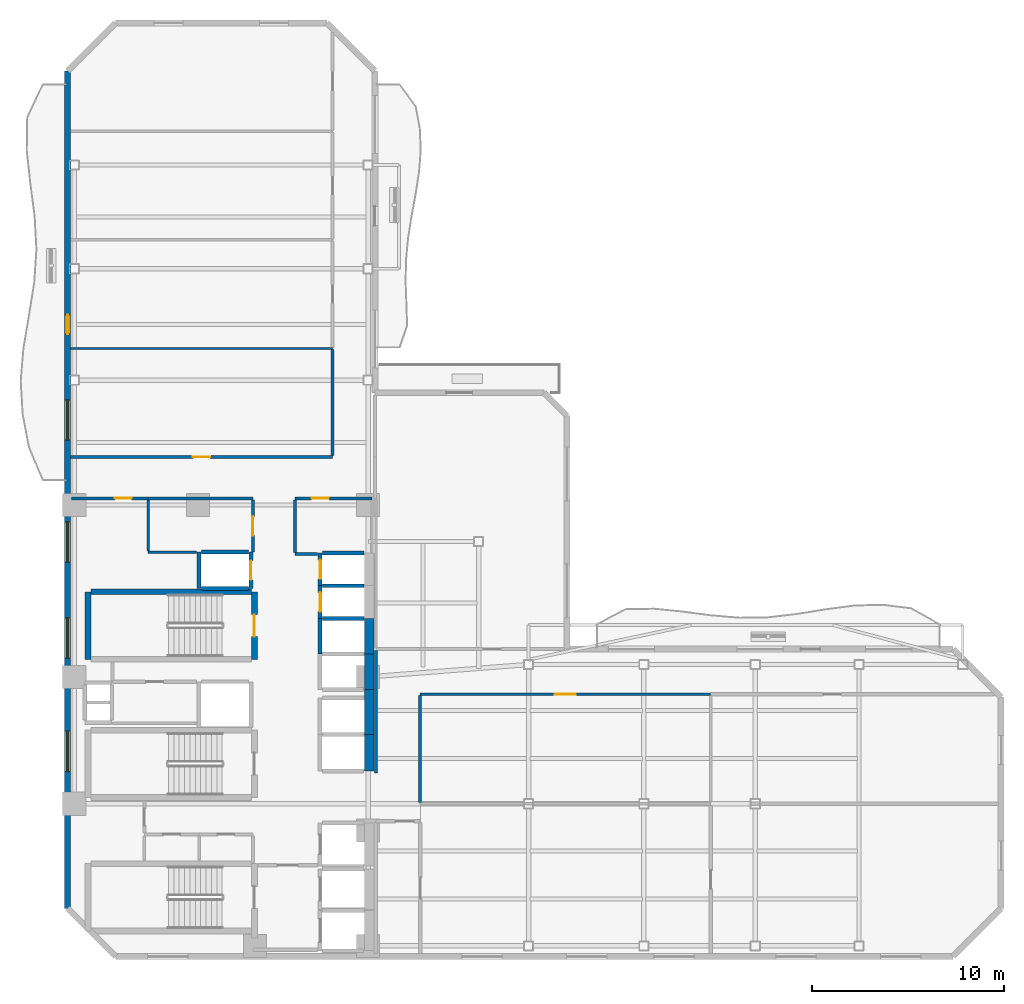
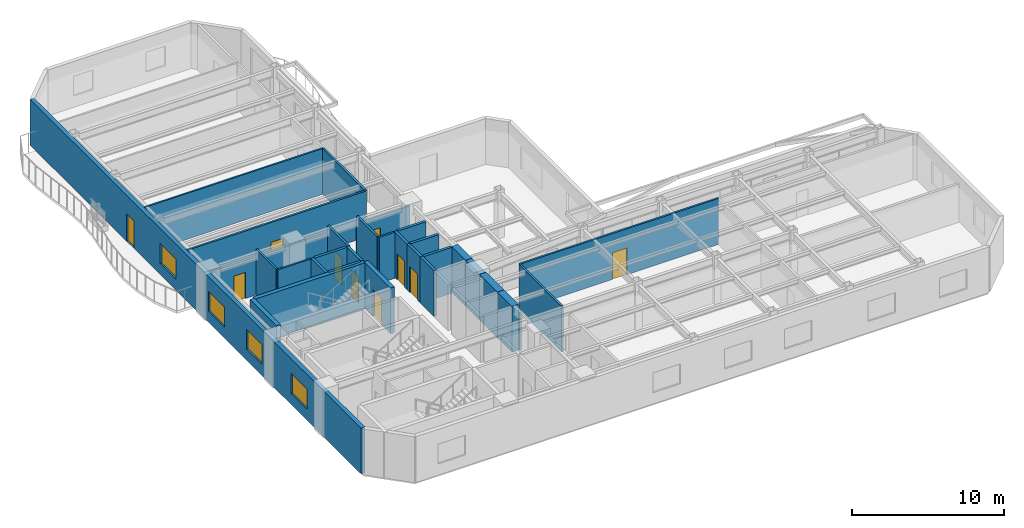
# One storey, part 4 of 9: 32 walls, 10 doors, 4 windows, 14 openings.
"""IFC4 building model written with IfcOpenShell, lengths in metres."""

from ifc_helpers import new_model, si_unit, direction, frame, frame_2d, origin, place, context, subcontext, project, spatial, rectangle, extrude, material, layer, layer_set, type_object, element, fill, save


model = new_model("IFC4")

# Units and contexts
model_context = context("Model", 3, precision=1e-05, world=origin(), true_north=direction((0.0, 1.0)))
body_context = subcontext(model_context, "Body", "Model", "MODEL_VIEW")
ifc_project = project(units=[si_unit("LENGTHUNIT", "METRE"), si_unit("AREAUNIT", "SQUARE_METRE"), si_unit("VOLUMEUNIT", "CUBIC_METRE"), si_unit("PLANEANGLEUNIT", "RADIAN"), si_unit("MASSUNIT", "GRAM", prefix="KILO")], contexts=[model_context])

# Site, building, storey
site_placement = place(None, origin())
site = spatial("IfcSite", under=ifc_project, at=site_placement, CompositionType="ELEMENT")
building_placement = place(site_placement, origin())
building = spatial("IfcBuilding", under=site, at=building_placement, Name="Mawjaban Terraces University", CompositionType="ELEMENT")
storey_placement = place(building_placement, frame((0.0, 0.0, 115.10009765625)))
storey = spatial("IfcBuildingStorey", under=building, at=storey_placement, Name="L27", CompositionType="ELEMENT", Elevation=115.10009765625)

# Walls
ifc_material_1 = material(Name="Concrete C60/75", Category="concrete")
ifc_layer_1 = layer(ifc_material_1, 0.5)
ifc_layer_set_1 = layer_set([ifc_layer_1], Name="Concrete C60/75")
wall_type_1 = type_object("IfcWallType", Name="CoreShearWall_500", PredefinedType="SHEAR", material=ifc_layer_set_1)
wall_1_placement = place(storey_placement, frame((37.699951171875, 9.64990234375, 0.0), z_axis=(0.0, 0.0, 1.0), x_axis=(0.0, 1.0, 0.0)))
element("IfcWall", 1, at=wall_1_placement, inside=storey, type_object=wall_type_1, Name="L27 Lift PL-H1 Hoistway Wall East", PredefinedType="SHEAR", context=body_context, shape_type="SweptSolid", body=[
    extrude(rectangle(XDim=1.900146484375, YDim=0.5, at=frame_2d((0.9501953125, 0.0))), origin(), (0.0, 0.0, 1.0), 3.68994140625),
])
wall_2_placement = place(storey_placement, frame((37.699951171875, 11.550048828125, 0.0), z_axis=(0.0, 0.0, 1.0), x_axis=(0.0, 1.0, 0.0)))
element("IfcWall", 2, at=wall_2_placement, inside=storey, type_object=wall_type_1, Name="L27 Lift PL-H2 Hoistway Wall East", PredefinedType="SHEAR", context=body_context, shape_type="SweptSolid", body=[
    extrude(rectangle(XDim=2.349853515625, YDim=0.5, at=frame_2d((1.1748046875, 0.0))), origin(), (0.0, 0.0, 1.0), 3.68994140625),
])
for number, where, z_axis, x_axis, name in (
    (3, (37.699951171875, 13.89990234375, 0.0), (0.0, 0.0, 1.0), (0.0, 1.0, 0.0), "L27 Lift OL-1 Hoistway Wall East"),
    (4, (37.699951171875, 15.75, 0.0), (0.0, 0.0, 1.0), (0.0, 1.0, 0.0), "L27 Lift OL-2 Hoistway Wall East"),
):
    element("IfcWall", number, at=place(storey_placement, frame(where, z_axis=z_axis, x_axis=x_axis)), inside=storey, type_object=wall_type_1, Name=name, PredefinedType="SHEAR", context=body_context, shape_type="SweptSolid", body=[
        extrude(rectangle(XDim=1.85009765625, YDim=0.5, at=frame_2d((0.925048828125, 0.0))), origin(), (0.0, 0.0, 1.0), 3.68994140625),
    ])

# Wall, opening, door
ifc_material_2 = material(Name="Fire-rated gypsum board on steel stud", Category="steel")
ifc_layer_2 = layer(ifc_material_2, 0.159912109375)
ifc_layer_set_2 = layer_set([ifc_layer_2], Name="Fire-rated gypsum board on steel stud")
wall_type_2 = type_object("IfcWallType", Name="CorridorPartition_160", PredefinedType="PARTITIONING", material=ifc_layer_set_2)
wall_3_placement = place(storey_placement, frame((26.199951171875, 23.85009765625, 0.0), z_axis=(0.0, 0.0, 1.0), x_axis=(-1.0, 0.0, 0.0)))
wall_3 = element("IfcWall", 5, at=wall_3_placement, inside=storey, type_object=wall_type_2, Name="L27 Female Toilet Partition 5", PredefinedType="PARTITIONING", context=body_context, shape_type="SweptSolid", body=[
    extrude(rectangle(XDim=4.0, YDim=0.159912109375, at=frame_2d((2.0, 0.0))), origin(), (0.0, 0.0, 1.0), 3.072998046875),
])
opening_1_placement = place(wall_3_placement, frame((0.860107421875, 0.0, 0.0)))
opening_1 = element("IfcOpeningElement", 6, at=opening_1_placement, cuts=wall_3, Name="Opening ID-088", PredefinedType="OPENING", context=body_context, shape_type="SweptSolid", body=[
    extrude(rectangle(XDim=0.8798828125, YDim=2.10009765625, at=frame_2d((0.43994140625, 1.050048828125))), frame((0.0, 0.08984375, 0.0), z_axis=(0.0, -1.0, 0.0), x_axis=(1.0, 0.0, 0.0)), (0.0, 0.0, 1.0), 0.179931640625),
])
ifc_material_3 = material(Name="Powder-coated steel frame and solid acoustic timber leaf", Category="steel")
door_type_1 = type_object("IfcDoorType", Name="ToiletDoor_880x2100", OperationType="NOTDEFINED", PredefinedType="DOOR", material=ifc_material_3)
door_1_placement = place(opening_1_placement, origin())
door_1 = element("IfcDoor", 7, at=door_1_placement, inside=storey, type_object=door_type_1, Name="L27 Female Toilet Door", OperationType="SINGLE_SWING_LEFT", OverallHeight=2.10009765625, OverallWidth=0.8798828125, PredefinedType="DOOR", context=body_context, shape_type="SweptSolid", body=[
    extrude(rectangle(XDim=0.8798828125, YDim=2.10009765625, at=frame_2d((0.43994140625, 1.050048828125))), frame((0.0, 0.02490234375, 0.0), z_axis=(0.0, -1.0, 0.0), x_axis=(1.0, 0.0, 0.0)), (0.0, 0.0, 1.0), 0.050048828125),
])
fill(opening_1, door_1)

# Walls
wall_4_placement = place(storey_placement, frame((31.64990234375, 23.85009765625, 0.0), z_axis=(0.0, 0.0, 1.0), x_axis=(-1.0, 0.0, 0.0)))
element("IfcWall", 8, at=wall_4_placement, inside=storey, type_object=wall_type_2, Name="L27 Academic Tutorial Alcove Partition 8", PredefinedType="PARTITIONING", context=body_context, shape_type="SweptSolid", body=[
    extrude(rectangle(XDim=5.449951171875, YDim=0.159912109375, at=frame_2d((2.72509765625, 0.0))), origin(), (0.0, 0.0, 1.0), 3.072998046875),
])
wall_5_placement = place(storey_placement, frame((35.02001953125, 20.949951171875, 0.0), z_axis=(0.0, 0.0, 1.0), x_axis=(-1.0, 0.0, 0.0)))
element("IfcWall", 9, at=wall_5_placement, inside=storey, type_object=wall_type_2, Name="L27 Passenger Lift Lobby Partition 10", PredefinedType="PARTITIONING", context=body_context, shape_type="SweptSolid", body=[
    extrude(rectangle(XDim=1.169921875, YDim=0.159912109375, at=frame_2d((0.5849609375, 0.0))), origin(), (0.0, 0.0, 1.0), 3.68994140625),
])

# Wall, opening, door
wall_6_placement = place(storey_placement, frame((35.800048828125, 26.0, 0.0), z_axis=(0.0, 0.0, 1.0), x_axis=(-1.0, 0.0, 0.0)))
wall_6 = element("IfcWall", 10, at=wall_6_placement, inside=storey, type_object=wall_type_2, Name="L27 North Core Cross-Corridor Partition 11", PredefinedType="PARTITIONING", context=body_context, shape_type="SweptSolid", body=[
    extrude(rectangle(XDim=13.655029296875, YDim=0.159912109375, at=frame_2d((6.82763671875, 0.0))), origin(), (0.0, 0.0, 1.0), 3.68994140625),
])
opening_2_placement = place(wall_6_placement, frame((6.376953125, 0.0, 0.0)))
opening_2 = element("IfcOpeningElement", 11, at=opening_2_placement, cuts=wall_6, Name="Opening ID-090", PredefinedType="OPENING", context=body_context, shape_type="SweptSolid", body=[
    extrude(rectangle(XDim=0.89990234375, YDim=2.10009765625, at=frame_2d((0.449951171875, 1.050048828125))), frame((0.0, 0.08984375, 0.0), z_axis=(0.0, -1.0, 0.0), x_axis=(1.0, 0.0, 0.0)), (0.0, 0.0, 1.0), 0.179931640625),
])
door_type_2 = type_object("IfcDoorType", Name="OfficeDoor_900x2100", OperationType="NOTDEFINED", PredefinedType="DOOR", material=ifc_material_3)
door_2_placement = place(opening_2_placement, origin())
door_2 = element("IfcDoor", 12, at=door_2_placement, inside=storey, type_object=door_type_2, Name="L27 Departmental Office 6 Door", OperationType="SINGLE_SWING_LEFT", OverallHeight=2.10009765625, OverallWidth=0.89990234375, PredefinedType="DOOR", context=body_context, shape_type="SweptSolid", body=[
    extrude(rectangle(XDim=0.89990234375, YDim=2.10009765625, at=frame_2d((0.449951171875, 1.050048828125))), frame((0.0, 0.02490234375, 0.0), z_axis=(0.0, -1.0, 0.0), x_axis=(1.0, 0.0, 0.0)), (0.0, 0.0, 1.0), 0.050048828125),
])
fill(opening_2, door_2)

wall_7_placement = place(storey_placement, frame((37.85009765625, 23.85009765625, 0.0), z_axis=(0.0, 0.0, 1.0), x_axis=(-1.0, 0.0, 0.0)))
wall_7 = element("IfcWall", 13, at=wall_7_placement, inside=storey, type_object=wall_type_2, Name="L27 Departmental Resource Seminar Room Partition 15", PredefinedType="PARTITIONING", context=body_context, shape_type="SweptSolid", body=[
    extrude(rectangle(XDim=4.0, YDim=0.159912109375, at=frame_2d((2.0, 0.0))), origin(), (0.0, 0.0, 1.0), 3.072998046875),
])
opening_3_placement = place(wall_7_placement, frame((2.25, 0.0, 0.0)))
opening_3 = element("IfcOpeningElement", 14, at=opening_3_placement, cuts=wall_7, Name="Opening ID-090", PredefinedType="OPENING", context=body_context, shape_type="SweptSolid", body=[
    extrude(rectangle(XDim=0.89990234375, YDim=2.10009765625, at=frame_2d((0.449951171875, 1.050048828125))), frame((0.0, 0.08984375, 0.0), z_axis=(0.0, -1.0, 0.0), x_axis=(1.0, 0.0, 0.0)), (0.0, 0.0, 1.0), 0.179931640625),
])
door_3_placement = place(opening_3_placement, origin())
door_3 = element("IfcDoor", 15, at=door_3_placement, inside=storey, type_object=door_type_2, Name="L27 Departmental Resource Seminar Room Door", OperationType="SINGLE_SWING_LEFT", OverallHeight=2.10009765625, OverallWidth=0.89990234375, PredefinedType="DOOR", context=body_context, shape_type="SweptSolid", body=[
    extrude(rectangle(XDim=0.89990234375, YDim=2.10009765625, at=frame_2d((0.449951171875, 1.050048828125))), frame((0.0, 0.02490234375, 0.0), z_axis=(0.0, -1.0, 0.0), x_axis=(1.0, 0.0, 0.0)), (0.0, 0.0, 1.0), 0.050048828125),
])
fill(opening_3, door_3)

wall_8_placement = place(storey_placement, frame((31.64990234375, 23.77490234375, 0.0), z_axis=(0.0, 0.0, 1.0), x_axis=(0.0, -1.0, 0.0)))
wall_8 = element("IfcWall", 16, at=wall_8_placement, inside=storey, type_object=wall_type_2, Name="L27 Core North Lift Lobby Partition 29", PredefinedType="PARTITIONING", context=body_context, shape_type="SweptSolid", body=[
    extrude(rectangle(XDim=2.724853515625, YDim=0.159912109375, at=frame_2d((1.3623046875, 0.0))), origin(), (0.0, 0.0, 1.0), 3.68994140625),
])
opening_4_placement = place(wall_8_placement, frame((0.862060546875, 0.0, 0.0)))
opening_4 = element("IfcOpeningElement", 17, at=opening_4_placement, cuts=wall_8, Name="Opening ID-100", PredefinedType="OPENING", context=body_context, shape_type="SweptSolid", body=[
    extrude(rectangle(XDim=1.0, YDim=2.10009765625, at=frame_2d((0.5, 1.050048828125))), frame((0.0, 0.08984375, 0.0), z_axis=(0.0, -1.0, 0.0), x_axis=(1.0, 0.0, 0.0)), (0.0, 0.0, 1.0), 0.179931640625),
])
door_type_3 = type_object("IfcDoorType", Name="ClassroomDoor_1000x2100", OperationType="NOTDEFINED", PredefinedType="DOOR", material=ifc_material_3)
door_4_placement = place(opening_4_placement, origin())
door_4 = element("IfcDoor", 18, at=door_4_placement, inside=storey, type_object=door_type_3, Name="L27 Academic Tutorial Alcove Door", OperationType="SINGLE_SWING_RIGHT", OverallHeight=2.10009765625, OverallWidth=1.0, PredefinedType="DOOR", context=body_context, shape_type="SweptSolid", body=[
    extrude(rectangle(XDim=1.0, YDim=2.10009765625, at=frame_2d((0.5, 1.050048828125))), frame((0.0, 0.02490234375, 0.0), z_axis=(0.0, -1.0, 0.0), x_axis=(1.0, 0.0, 0.0)), (0.0, 0.0, 1.0), 0.050048828125),
])
fill(opening_4, door_4)

# Walls
wall_9_placement = place(storey_placement, frame((33.85009765625, 21.02490234375, 0.0), z_axis=(0.0, 0.0, 1.0), x_axis=(0.0, 1.0, 0.0)))
element("IfcWall", 19, at=wall_9_placement, inside=storey, type_object=wall_type_2, Name="L27 Core North Lift Lobby Partition 30", PredefinedType="PARTITIONING", context=body_context, shape_type="SweptSolid", body=[
    extrude(rectangle(XDim=2.75, YDim=0.159912109375, at=frame_2d((1.375, 0.0))), origin(), (0.0, 0.0, 1.0), 3.68994140625),
])
wall_10_placement = place(storey_placement, frame((35.800048828125, 31.592041015625, 0.0), z_axis=(0.0, 0.0, 1.0), x_axis=(0.0, -1.0, 0.0)))
element("IfcWall", 20, at=wall_10_placement, inside=storey, type_object=wall_type_2, Name="L27 Inner Terrace Gallery Corridor North Partition 31", PredefinedType="PARTITIONING", context=body_context, shape_type="SweptSolid", body=[
    extrude(rectangle(XDim=5.51708984375, YDim=0.159912109375, at=frame_2d((2.758544921875, 0.0))), origin(), (0.0, 0.0, 1.0), 3.68994140625),
])
wall_11_placement = place(storey_placement, frame((38.050048828125, 15.925048828125, 0.0), z_axis=(0.0, 0.0, 1.0), x_axis=(0.0, -1.0, 0.0)))
element("IfcWall", 21, at=wall_11_placement, inside=storey, type_object=wall_type_2, Name="L27 Inner Gallery Link Corridor Partition 39", PredefinedType="PARTITIONING", context=body_context, shape_type="SweptSolid", body=[
    extrude(rectangle(XDim=6.375, YDim=0.159912109375, at=frame_2d((3.1875, 0.0))), origin(), (0.0, 0.0, 1.0), 3.072998046875),
])

# Wall, openings, door, windows
ifc_material_4 = material(Name="Insulated terracotta rainscreen on concrete backup C40/50", Category="masonry")
ifc_layer_3 = layer(ifc_material_4, 0.300048828125)
ifc_layer_set_3 = layer_set([ifc_layer_3], Name="Insulated terracotta rainscreen on concrete backup C40/50")
wall_type_3 = type_object("IfcWallType", Name="ExtTerracottaWall_300", PredefinedType="SOLIDWALL", material=ifc_layer_set_3)
wall_12_placement = place(storey_placement, frame((22.0, 46.10009765625, 0.0), z_axis=(0.0, 0.0, 1.0), x_axis=(0.0, -1.0, 0.0)))
wall_12 = element("IfcWall", 22, at=wall_12_placement, inside=storey, type_object=wall_type_3, Name="L27 Exterior Terracotta Wall 13", PredefinedType="SOLIDWALL", context=body_context, shape_type="SweptSolid", body=[
    extrude(rectangle(XDim=43.60009765625, YDim=0.300048828125, at=frame_2d((21.800048828125, 0.0))), origin(), (0.0, 0.0, 1.0), 3.68994140625),
])
opening_5_placement = place(wall_12_placement, frame((12.699951171875, 0.0, 0.0)))
opening_5 = element("IfcOpeningElement", 23, at=opening_5_placement, cuts=wall_12, Name="Opening BD-100", PredefinedType="OPENING", context=body_context, shape_type="SweptSolid", body=[
    extrude(rectangle(XDim=1.0, YDim=2.199951171875, at=frame_2d((0.5, 1.10009765625))), frame((0.0, 0.159912109375, 0.0), z_axis=(0.0, -1.0, 0.0), x_axis=(1.0, 0.0, 0.0)), (0.0, 0.0, 1.0), 0.320068359375),
])
opening_6_placement = place(wall_12_placement, frame((17.125, 0.0, 0.89990234375)))
opening_6 = element("IfcOpeningElement", 24, at=opening_6_placement, cuts=wall_12, Name="Opening W-04", PredefinedType="OPENING", context=body_context, shape_type="SweptSolid", body=[
    extrude(rectangle(XDim=2.10009765625, YDim=1.60009765625, at=frame_2d((1.050048828125, 0.800048828125))), frame((0.0, 0.159912109375, 0.0), z_axis=(0.0, -1.0, 0.0), x_axis=(1.0, 0.0, 0.0)), (0.0, 0.0, 1.0), 0.320068359375),
])
opening_7_placement = place(wall_12_placement, frame((23.47509765625, 0.0, 0.89990234375)))
opening_7 = element("IfcOpeningElement", 25, at=opening_7_placement, cuts=wall_12, Name="Opening W-04", PredefinedType="OPENING", context=body_context, shape_type="SweptSolid", body=[
    extrude(rectangle(XDim=2.10009765625, YDim=1.60009765625, at=frame_2d((1.050048828125, 0.800048828125))), frame((0.0, 0.159912109375, 0.0), z_axis=(0.0, -1.0, 0.0), x_axis=(1.0, 0.0, 0.0)), (0.0, 0.0, 1.0), 0.320068359375),
])
opening_8_placement = place(wall_12_placement, frame((28.47509765625, 0.0, 0.89990234375)))
opening_8 = element("IfcOpeningElement", 26, at=opening_8_placement, cuts=wall_12, Name="Opening W-04", PredefinedType="OPENING", context=body_context, shape_type="SweptSolid", body=[
    extrude(rectangle(XDim=2.10009765625, YDim=1.60009765625, at=frame_2d((1.050048828125, 0.800048828125))), frame((0.0, 0.159912109375, 0.0), z_axis=(0.0, -1.0, 0.0), x_axis=(1.0, 0.0, 0.0)), (0.0, 0.0, 1.0), 0.320068359375),
])
opening_9_placement = place(wall_12_placement, frame((34.375, 0.0, 0.89990234375)))
opening_9 = element("IfcOpeningElement", 27, at=opening_9_placement, cuts=wall_12, Name="Opening W-04", PredefinedType="OPENING", context=body_context, shape_type="SweptSolid", body=[
    extrude(rectangle(XDim=2.10009765625, YDim=1.60009765625, at=frame_2d((1.050048828125, 0.800048828125))), frame((0.0, 0.159912109375, 0.0), z_axis=(0.0, -1.0, 0.0), x_axis=(1.0, 0.0, 0.0)), (0.0, 0.0, 1.0), 0.320068359375),
])
ifc_material_5 = material(Name="Thermally broken anodised aluminium and laminated safety glass", Category="aluminium")
door_type_4 = type_object("IfcDoorType", Name="BalconyGlazedDoor_1000x2200", OperationType="NOTDEFINED", PredefinedType="DOOR", material=ifc_material_5)
door_5_placement = place(opening_5_placement, origin())
door_5 = element("IfcDoor", 28, at=door_5_placement, inside=storey, type_object=door_type_4, Name="L27 Balcony Access Door west", OperationType="SINGLE_SWING_RIGHT", OverallHeight=2.199951171875, OverallWidth=1.0, PredefinedType="DOOR", context=body_context, shape_type="SweptSolid", body=[
    extrude(rectangle(XDim=1.0, YDim=2.199951171875, at=frame_2d((0.5, 1.10009765625))), frame((0.0, 0.02490234375, 0.0), z_axis=(0.0, -1.0, 0.0), x_axis=(1.0, 0.0, 0.0)), (0.0, 0.0, 1.0), 0.050048828125),
])
fill(opening_5, door_5)
ifc_material_6 = material(Name="Low-E solar-control double glazing in thermally broken aluminium frame", Category="aluminium")
window_type = type_object("IfcWindowType", Name="Win_2100x1600", PartitioningType="SINGLE_PANEL", PredefinedType="WINDOW", material=ifc_material_6)
window_1_placement = place(opening_6_placement, origin())
window_1 = element("IfcWindow", 29, at=window_1_placement, inside=storey, type_object=window_type, Name="L27 Facade Window 13.4", OverallHeight=1.60009765625, OverallWidth=2.10009765625, PartitioningType="SINGLE_PANEL", PredefinedType="WINDOW", context=body_context, shape_type="SweptSolid", body=[
    extrude(rectangle(XDim=2.10009765625, YDim=1.60009765625, at=frame_2d((1.050048828125, 0.800048828125))), frame((0.0, 0.030029296875, 0.0), z_axis=(0.0, -1.0, 0.0), x_axis=(1.0, 0.0, 0.0)), (0.0, 0.0, 1.0), 0.06005859375),
])
fill(opening_6, window_1)
window_2_placement = place(opening_7_placement, origin())
window_2 = element("IfcWindow", 30, at=window_2_placement, inside=storey, type_object=window_type, Name="L27 Facade Window 13.5", OverallHeight=1.60009765625, OverallWidth=2.10009765625, PartitioningType="SINGLE_PANEL", PredefinedType="WINDOW", context=body_context, shape_type="SweptSolid", body=[
    extrude(rectangle(XDim=2.10009765625, YDim=1.60009765625, at=frame_2d((1.050048828125, 0.800048828125))), frame((0.0, 0.030029296875, 0.0), z_axis=(0.0, -1.0, 0.0), x_axis=(1.0, 0.0, 0.0)), (0.0, 0.0, 1.0), 0.06005859375),
])
fill(opening_7, window_2)
window_3_placement = place(opening_8_placement, origin())
window_3 = element("IfcWindow", 31, at=window_3_placement, inside=storey, type_object=window_type, Name="L27 Facade Window 13.6", OverallHeight=1.60009765625, OverallWidth=2.10009765625, PartitioningType="SINGLE_PANEL", PredefinedType="WINDOW", context=body_context, shape_type="SweptSolid", body=[
    extrude(rectangle(XDim=2.10009765625, YDim=1.60009765625, at=frame_2d((1.050048828125, 0.800048828125))), frame((0.0, 0.030029296875, 0.0), z_axis=(0.0, -1.0, 0.0), x_axis=(1.0, 0.0, 0.0)), (0.0, 0.0, 1.0), 0.06005859375),
])
fill(opening_8, window_3)
window_4_placement = place(opening_9_placement, origin())
window_4 = element("IfcWindow", 32, at=window_4_placement, inside=storey, type_object=window_type, Name="L27 Facade Window 13.7", OverallHeight=1.60009765625, OverallWidth=2.10009765625, PartitioningType="SINGLE_PANEL", PredefinedType="WINDOW", context=body_context, shape_type="SweptSolid", body=[
    extrude(rectangle(XDim=2.10009765625, YDim=1.60009765625, at=frame_2d((1.050048828125, 0.800048828125))), frame((0.0, 0.030029296875, 0.0), z_axis=(0.0, -1.0, 0.0), x_axis=(1.0, 0.0, 0.0)), (0.0, 0.0, 1.0), 0.06005859375),
])
fill(opening_9, window_4)

# Walls
ifc_material_7 = material(Name="Concrete C40/50", Category="concrete")
ifc_layer_4 = layer(ifc_material_7, 0.199951171875)
ifc_layer_set_4 = layer_set([ifc_layer_4], Name="Concrete C40/50")
wall_type_4 = type_object("IfcWallType", Name="FireLobbyWall_200", PredefinedType="SOLIDWALL", material=ifc_layer_set_4)
wall_13_placement = place(storey_placement, frame((35.14990234375, 17.60009765625, 0.0), z_axis=(0.0, 0.0, 1.0), x_axis=(0.0, -1.0, 0.0)))
element("IfcWall", 33, at=wall_13_placement, inside=storey, type_object=wall_type_4, Name="L27 Lift OL-2 Hoistway Wall West", PredefinedType="SOLIDWALL", context=body_context, shape_type="SweptSolid", body=[
    extrude(rectangle(XDim=1.85009765625, YDim=0.199951171875, at=frame_2d((0.925048828125, 0.0))), origin(), (0.0, 0.0, 1.0), 3.68994140625),
])
wall_14_placement = place(storey_placement, frame((37.419921875, 17.60009765625, 0.0), z_axis=(0.0, 0.0, 1.0), x_axis=(-1.0, 0.0, 0.0)))
element("IfcWall", 34, at=wall_14_placement, inside=storey, type_object=wall_type_4, Name="L27 Lift OL-2 Hoistway Wall North", PredefinedType="SOLIDWALL", context=body_context, shape_type="SweptSolid", body=[
    extrude(rectangle(XDim=2.139892578125, YDim=0.199951171875, at=frame_2d((1.06982421875, 0.0))), origin(), (0.0, 0.0, 1.0), 3.68994140625),
])

# Wall, opening, door
wall_15_placement = place(storey_placement, frame((35.14990234375, 19.300048828125, 0.0), z_axis=(0.0, 0.0, 1.0), x_axis=(0.0, -1.0, 0.0)))
wall_15 = element("IfcWall", 35, at=wall_15_placement, inside=storey, type_object=wall_type_4, Name="L27 Lift PL-M1 Hoistway Wall West", PredefinedType="SOLIDWALL", context=body_context, shape_type="SweptSolid", body=[
    extrude(rectangle(XDim=1.699951171875, YDim=0.199951171875, at=frame_2d((0.85009765625, 0.0))), origin(), (0.0, 0.0, 1.0), 3.68994140625),
])
opening_10_placement = place(wall_15_placement, frame((0.35009765625, 0.0, 0.0)))
opening_10 = element("IfcOpeningElement", 36, at=opening_10_placement, cuts=wall_15, Name="Opening LD-PL-M1", PredefinedType="OPENING", context=body_context, shape_type="SweptSolid", body=[
    extrude(rectangle(XDim=1.0, YDim=2.10009765625, at=frame_2d((0.5, 1.050048828125))), frame((0.0, 0.10986328125, 0.0), z_axis=(0.0, -1.0, 0.0), x_axis=(1.0, 0.0, 0.0)), (0.0, 0.0, 1.0), 0.219970703125),
])
ifc_material_8 = material(Name="Powder-coated steel frame and fire-rated steel-faced leaf", Category="steel")
door_type_5 = type_object("IfcDoorType", Name="LiftLandingSliding_1000x2100", OperationType="NOTDEFINED", PredefinedType="DOOR", material=ifc_material_8)
door_6_placement = place(opening_10_placement, origin())
door_6 = element("IfcDoor", 37, at=door_6_placement, inside=storey, type_object=door_type_5, Name="L27 Lift PL-M1 Sliding Landing Door", OperationType="DOUBLE_DOOR_SLIDING", OverallHeight=2.10009765625, OverallWidth=1.0, PredefinedType="DOOR", context=body_context, shape_type="SweptSolid", body=[
    extrude(rectangle(XDim=1.0, YDim=2.10009765625, at=frame_2d((0.5, 1.050048828125))), frame((0.0, 0.02490234375, 0.0), z_axis=(0.0, -1.0, 0.0), x_axis=(1.0, 0.0, 0.0)), (0.0, 0.0, 1.0), 0.050048828125),
])
fill(opening_10, door_6)

# Wall
wall_16_placement = place(storey_placement, frame((37.419921875, 19.300048828125, 0.0), z_axis=(0.0, 0.0, 1.0), x_axis=(-1.0, 0.0, 0.0)))
element("IfcWall", 38, at=wall_16_placement, inside=storey, type_object=wall_type_4, Name="L27 Lift PL-M1 Hoistway Wall North", PredefinedType="SOLIDWALL", context=body_context, shape_type="SweptSolid", body=[
    extrude(rectangle(XDim=2.139892578125, YDim=0.199951171875, at=frame_2d((1.06982421875, 0.0))), origin(), (0.0, 0.0, 1.0), 3.68994140625),
])

# Wall, opening, door
wall_17_placement = place(storey_placement, frame((35.14990234375, 21.0, 0.0), z_axis=(0.0, 0.0, 1.0), x_axis=(0.0, -1.0, 0.0)))
wall_17 = element("IfcWall", 39, at=wall_17_placement, inside=storey, type_object=wall_type_4, Name="L27 Lift PL-M2 Hoistway Wall West", PredefinedType="SOLIDWALL", context=body_context, shape_type="SweptSolid", body=[
    extrude(rectangle(XDim=1.699951171875, YDim=0.199951171875, at=frame_2d((0.85009765625, 0.0))), origin(), (0.0, 0.0, 1.0), 3.68994140625),
])
opening_11_placement = place(wall_17_placement, frame((0.35009765625, 0.0, 0.0)))
opening_11 = element("IfcOpeningElement", 40, at=opening_11_placement, cuts=wall_17, Name="Opening LD-PL-M2", PredefinedType="OPENING", context=body_context, shape_type="SweptSolid", body=[
    extrude(rectangle(XDim=1.0, YDim=2.10009765625, at=frame_2d((0.5, 1.050048828125))), frame((0.0, 0.10986328125, 0.0), z_axis=(0.0, -1.0, 0.0), x_axis=(1.0, 0.0, 0.0)), (0.0, 0.0, 1.0), 0.219970703125),
])
door_7_placement = place(opening_11_placement, origin())
door_7 = element("IfcDoor", 41, at=door_7_placement, inside=storey, type_object=door_type_5, Name="L27 Lift PL-M2 Sliding Landing Door", OperationType="DOUBLE_DOOR_SLIDING", OverallHeight=2.10009765625, OverallWidth=1.0, PredefinedType="DOOR", context=body_context, shape_type="SweptSolid", body=[
    extrude(rectangle(XDim=1.0, YDim=2.10009765625, at=frame_2d((0.5, 1.050048828125))), frame((0.0, 0.02490234375, 0.0), z_axis=(0.0, -1.0, 0.0), x_axis=(1.0, 0.0, 0.0)), (0.0, 0.0, 1.0), 0.050048828125),
])
fill(opening_11, door_7)

# Walls
wall_18_placement = place(storey_placement, frame((37.419921875, 21.0, 0.0), z_axis=(0.0, 0.0, 1.0), x_axis=(-1.0, 0.0, 0.0)))
element("IfcWall", 42, at=wall_18_placement, inside=storey, type_object=wall_type_4, Name="L27 Lift PL-M2 Hoistway Wall North", PredefinedType="SOLIDWALL", context=body_context, shape_type="SweptSolid", body=[
    extrude(rectangle(XDim=2.139892578125, YDim=0.199951171875, at=frame_2d((1.06982421875, 0.0))), origin(), (0.0, 0.0, 1.0), 3.68994140625),
])
wall_19_placement = place(storey_placement, frame((28.85009765625, 21.050048828125, 0.0), z_axis=(0.0, 0.0, 1.0), x_axis=(0.0, -1.0, 0.0)))
element("IfcWall", 43, at=wall_19_placement, inside=storey, type_object=wall_type_4, Name="L27 Lift PL-M3 Hoistway Wall West", PredefinedType="SOLIDWALL", context=body_context, shape_type="SweptSolid", body=[
    extrude(rectangle(XDim=1.900146484375, YDim=0.199951171875, at=frame_2d((0.9501953125, 0.0))), origin(), (0.0, 0.0, 1.0), 3.68994140625),
])

# Wall, opening, door
wall_20_placement = place(storey_placement, frame((31.550048828125, 19.14990234375, 0.0), z_axis=(0.0, 0.0, 1.0), x_axis=(0.0, 1.0, 0.0)))
wall_20 = element("IfcWall", 44, at=wall_20_placement, inside=storey, type_object=wall_type_4, Name="L27 Lift PL-M3 Hoistway Wall East", PredefinedType="SOLIDWALL", context=body_context, shape_type="SweptSolid", body=[
    extrude(rectangle(XDim=1.900146484375, YDim=0.199951171875, at=frame_2d((0.9501953125, 0.0))), origin(), (0.0, 0.0, 1.0), 3.68994140625),
])
opening_12_placement = place(wall_20_placement, frame((0.449951171875, 0.0, 0.0)))
opening_12 = element("IfcOpeningElement", 45, at=opening_12_placement, cuts=wall_20, Name="Opening LD-PL-M3", PredefinedType="OPENING", context=body_context, shape_type="SweptSolid", body=[
    extrude(rectangle(XDim=1.0, YDim=2.10009765625, at=frame_2d((0.5, 1.050048828125))), frame((0.0, 0.10986328125, 0.0), z_axis=(0.0, -1.0, 0.0), x_axis=(1.0, 0.0, 0.0)), (0.0, 0.0, 1.0), 0.219970703125),
])
door_8_placement = place(opening_12_placement, origin())
door_8 = element("IfcDoor", 46, at=door_8_placement, inside=storey, type_object=door_type_5, Name="L27 Lift PL-M3 Sliding Landing Door", OperationType="DOUBLE_DOOR_SLIDING", OverallHeight=2.10009765625, OverallWidth=1.0, PredefinedType="DOOR", context=body_context, shape_type="SweptSolid", body=[
    extrude(rectangle(XDim=1.0, YDim=2.10009765625, at=frame_2d((0.5, 1.050048828125))), frame((0.0, 0.02490234375, 0.0), z_axis=(0.0, -1.0, 0.0), x_axis=(1.0, 0.0, 0.0)), (0.0, 0.0, 1.0), 0.050048828125),
])
fill(opening_12, door_8)

# Walls
for number, where, z_axis, x_axis, name in (
    (47, (28.97998046875, 19.14990234375, 0.0), (0.0, 0.0, 1.0), (1.0, 0.0, 0.0), "L27 Lift PL-M3 Hoistway Wall South"),
    (48, (31.419921875, 21.050048828125, 0.0), (0.0, 0.0, 1.0), (-1.0, 0.0, 0.0), "L27 Lift PL-M3 Hoistway Wall North"),
):
    element("IfcWall", number, at=place(storey_placement, frame(where, z_axis=z_axis, x_axis=x_axis)), inside=storey, type_object=wall_type_4, Name=name, PredefinedType="SOLIDWALL", context=body_context, shape_type="SweptSolid", body=[
        extrude(rectangle(XDim=2.43994140625, YDim=0.199951171875, at=frame_2d((1.219970703125, 0.0))), origin(), (0.0, 0.0, 1.0), 3.68994140625),
    ])

# Wall, opening, door
ifc_material_9 = material(Name="Moisture-resistant gypsum board on steel stud", Category="steel")
ifc_layer_5 = layer(ifc_material_9, 0.14501953125)
ifc_layer_set_5 = layer_set([ifc_layer_5], Name="Moisture-resistant gypsum board on steel stud")
wall_type_5 = type_object("IfcWallType", Name="LabPartition_145", PredefinedType="PARTITIONING", material=ifc_layer_set_5)
wall_21_placement = place(storey_placement, frame((40.35009765625, 13.64990234375, 0.0), z_axis=(0.0, 0.0, 1.0), x_axis=(1.0, 0.0, 0.0)))
wall_21 = element("IfcWall", 49, at=wall_21_placement, inside=storey, type_object=wall_type_5, Name="L27 Inner Terrace Gallery Corridor East Partition 17", PredefinedType="PARTITIONING", context=body_context, shape_type="SweptSolid", body=[
    extrude(rectangle(XDim=15.1298828125, YDim=0.14501953125, at=frame_2d((7.56494140625, 0.0))), origin(), (0.0, 0.0, 1.0), 3.68994140625),
])
opening_13_placement = place(wall_21_placement, frame((7.014892578125, 0.0, 0.0)))
opening_13 = element("IfcOpeningElement", 50, at=opening_13_placement, cuts=wall_21, Name="Opening ID-110", PredefinedType="OPENING", context=body_context, shape_type="SweptSolid", body=[
    extrude(rectangle(XDim=1.10009765625, YDim=2.14990234375, at=frame_2d((0.550048828125, 1.074951171875))), frame((0.0, 0.08251953125, 0.0), z_axis=(0.0, -1.0, 0.0), x_axis=(1.0, 0.0, 0.0)), (0.0, 0.0, 1.0), 0.1650390625),
])
door_type_6 = type_object("IfcDoorType", Name="LabDoor_1100x2150", OperationType="NOTDEFINED", PredefinedType="DOOR", material=ifc_material_3)
door_9_placement = place(opening_13_placement, origin())
door_9 = element("IfcDoor", 51, at=door_9_placement, inside=storey, type_object=door_type_6, Name="L27 Teaching Laboratory 3 Door", OperationType="SINGLE_SWING_RIGHT", OverallHeight=2.14990234375, OverallWidth=1.10009765625, PredefinedType="DOOR", context=body_context, shape_type="SweptSolid", body=[
    extrude(rectangle(XDim=1.10009765625, YDim=2.14990234375, at=frame_2d((0.550048828125, 1.074951171875))), frame((0.0, 0.02490234375, 0.0), z_axis=(0.0, -1.0, 0.0), x_axis=(1.0, 0.0, 0.0)), (0.0, 0.0, 1.0), 0.050048828125),
])
fill(opening_13, door_9)

# Walls
wall_22_placement = place(storey_placement, frame((40.35009765625, 8.01806640625, 0.0), z_axis=(0.0, 0.0, 1.0), x_axis=(0.0, 1.0, 0.0)))
element("IfcWall", 52, at=wall_22_placement, inside=storey, type_object=wall_type_5, Name="L27 Inner Gallery Link Corridor Partition 42", PredefinedType="PARTITIONING", context=body_context, shape_type="SweptSolid", body=[
    extrude(rectangle(XDim=5.56396484375, YDim=0.14501953125, at=frame_2d((2.781982421875, 0.0))), origin(), (0.0, 0.0, 1.0), 3.68994140625),
])
ifc_material_10 = material(Name="Gypsum plasterboard on steel stud", Category="steel")
ifc_layer_6 = layer(ifc_material_10, 0.125)
ifc_layer_set_6 = layer_set([ifc_layer_6], Name="Gypsum plasterboard on steel stud")
wall_type_6 = type_object("IfcWallType", Name="OfficePartition_125", PredefinedType="PARTITIONING", material=ifc_layer_set_6)
wall_23_placement = place(storey_placement, frame((35.800048828125, 31.64990234375, 0.0), z_axis=(0.0, 0.0, 1.0), x_axis=(-1.0, 0.0, 0.0)))
element("IfcWall", 53, at=wall_23_placement, inside=storey, type_object=wall_type_6, Name="L27 Departmental Office 6 Partition 12", PredefinedType="PARTITIONING", context=body_context, shape_type="SweptSolid", body=[
    extrude(rectangle(XDim=13.655029296875, YDim=0.125, at=frame_2d((6.82763671875, 0.0))), origin(), (0.0, 0.0, 1.0), 3.68994140625),
])
ifc_layer_7 = layer(ifc_material_1, 0.300048828125)
ifc_layer_set_7 = layer_set([ifc_layer_7], Name="Concrete C60/75")
wall_type_7 = type_object("IfcWallType", Name="StairShaftWall_300", PredefinedType="SHEAR", material=ifc_layer_set_7)
wall_24_placement = place(storey_placement, frame((31.580078125, 18.97998046875, 0.0), z_axis=(0.0, 0.0, 1.0), x_axis=(-1.0, 0.0, 0.0)))
element("IfcWall", 54, at=wall_24_placement, inside=storey, type_object=wall_type_7, Name="L27 ST-2 Stair Shaft Wall 1", PredefinedType="SHEAR", context=body_context, shape_type="SweptSolid", body=[
    extrude(rectangle(XDim=8.360107421875, YDim=0.300048828125, at=frame_2d((4.18017578125, 0.0))), origin(), (0.0, 0.0, 1.0), 3.68994140625),
])
wall_25_placement = place(storey_placement, frame((23.070068359375, 18.97998046875, 0.0), z_axis=(0.0, 0.0, 1.0), x_axis=(0.0, -1.0, 0.0)))
element("IfcWall", 55, at=wall_25_placement, inside=storey, type_object=wall_type_7, Name="L27 ST-2 Stair Shaft Wall 2", PredefinedType="SHEAR", context=body_context, shape_type="SweptSolid", body=[
    extrude(rectangle(XDim=3.510009765625, YDim=0.300048828125, at=frame_2d((1.7548828125, 0.0))), origin(), (0.0, 0.0, 1.0), 3.68994140625),
])

# Wall, opening, door
wall_26_placement = place(storey_placement, frame((31.72998046875, 15.469970703125, 0.0), z_axis=(0.0, 0.0, 1.0), x_axis=(0.0, 1.0, 0.0)))
wall_26 = element("IfcWall", 56, at=wall_26_placement, inside=storey, type_object=wall_type_7, Name="L27 ST-2 Stair Shaft Wall 4", PredefinedType="SHEAR", context=body_context, shape_type="SweptSolid", body=[
    extrude(rectangle(XDim=3.510009765625, YDim=0.300048828125, at=frame_2d((1.7548828125, 0.0))), origin(), (0.0, 0.0, 1.0), 3.68994140625),
])
opening_14_placement = place(wall_26_placement, frame((1.179931640625, 0.0, 0.0)))
opening_14 = element("IfcOpeningElement", 57, at=opening_14_placement, cuts=wall_26, Name="Opening FD-115", PredefinedType="OPENING", context=body_context, shape_type="SweptSolid", body=[
    extrude(rectangle(XDim=1.14990234375, YDim=2.14990234375, at=frame_2d((0.574951171875, 1.074951171875))), frame((0.0, 0.159912109375, 0.0), z_axis=(0.0, -1.0, 0.0), x_axis=(1.0, 0.0, 0.0)), (0.0, 0.0, 1.0), 0.320068359375),
])
door_type_7 = type_object("IfcDoorType", Name="FireStairDoor_1150x2150", OperationType="NOTDEFINED", PredefinedType="DOOR", material=ifc_material_8)
door_10_placement = place(opening_14_placement, origin())
door_10 = element("IfcDoor", 58, at=door_10_placement, inside=storey, type_object=door_type_7, Name="L27 ST-2 Pressurised Stair Fire Door", OperationType="SINGLE_SWING_RIGHT", OverallHeight=2.14990234375, OverallWidth=1.14990234375, PredefinedType="DOOR", context=body_context, shape_type="SweptSolid", body=[
    extrude(rectangle(XDim=1.14990234375, YDim=2.14990234375, at=frame_2d((0.574951171875, 1.074951171875))), frame((0.0, 0.02490234375, 0.0), z_axis=(0.0, -1.0, 0.0), x_axis=(1.0, 0.0, 0.0)), (0.0, 0.0, 1.0), 0.050048828125),
])
fill(opening_14, door_10)

# Walls
ifc_material_11 = material(Name="Cement-board wet-room partition", Category="masonry")
ifc_layer_8 = layer(ifc_material_11, 0.135009765625)
ifc_layer_set_8 = layer_set([ifc_layer_8], Name="Cement-board wet-room partition")
wall_type_8 = type_object("IfcWallType", Name="WetRoomPartition_135", PredefinedType="PARTITIONING", material=ifc_layer_set_8)
wall_27_placement = place(storey_placement, frame((26.199951171875, 21.050048828125, 0.0), z_axis=(0.0, 0.0, 1.0), x_axis=(1.0, 0.0, 0.0)))
element("IfcWall", 59, at=wall_27_placement, inside=storey, type_object=wall_type_8, Name="L27 Academic Tutorial Alcove Partition 4", PredefinedType="PARTITIONING", context=body_context, shape_type="SweptSolid", body=[
    extrude(rectangle(XDim=2.52001953125, YDim=0.135009765625, at=frame_2d((1.260009765625, 0.0))), origin(), (0.0, 0.0, 1.0), 3.68994140625),
])
wall_28_placement = place(storey_placement, frame((26.199951171875, 23.77490234375, 0.0), z_axis=(0.0, 0.0, 1.0), x_axis=(0.0, -1.0, 0.0)))
element("IfcWall", 60, at=wall_28_placement, inside=storey, type_object=wall_type_8, Name="L27 Academic Tutorial Alcove Partition 26", PredefinedType="PARTITIONING", context=body_context, shape_type="SweptSolid", body=[
    extrude(rectangle(XDim=2.661865234375, YDim=0.135009765625, at=frame_2d((1.3310546875, 0.0))), origin(), (0.0, 0.0, 1.0), 3.68994140625),
])

save(model, "model.ifc")
